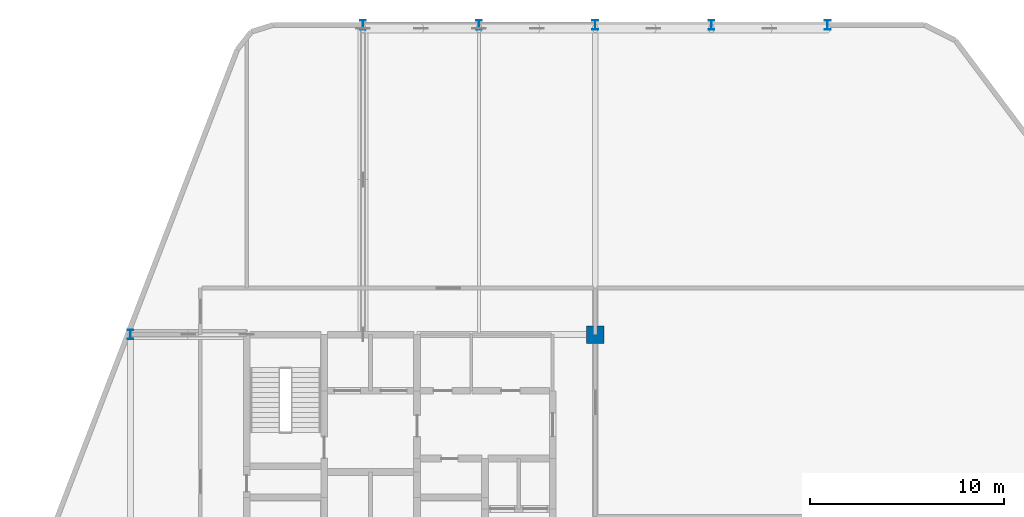
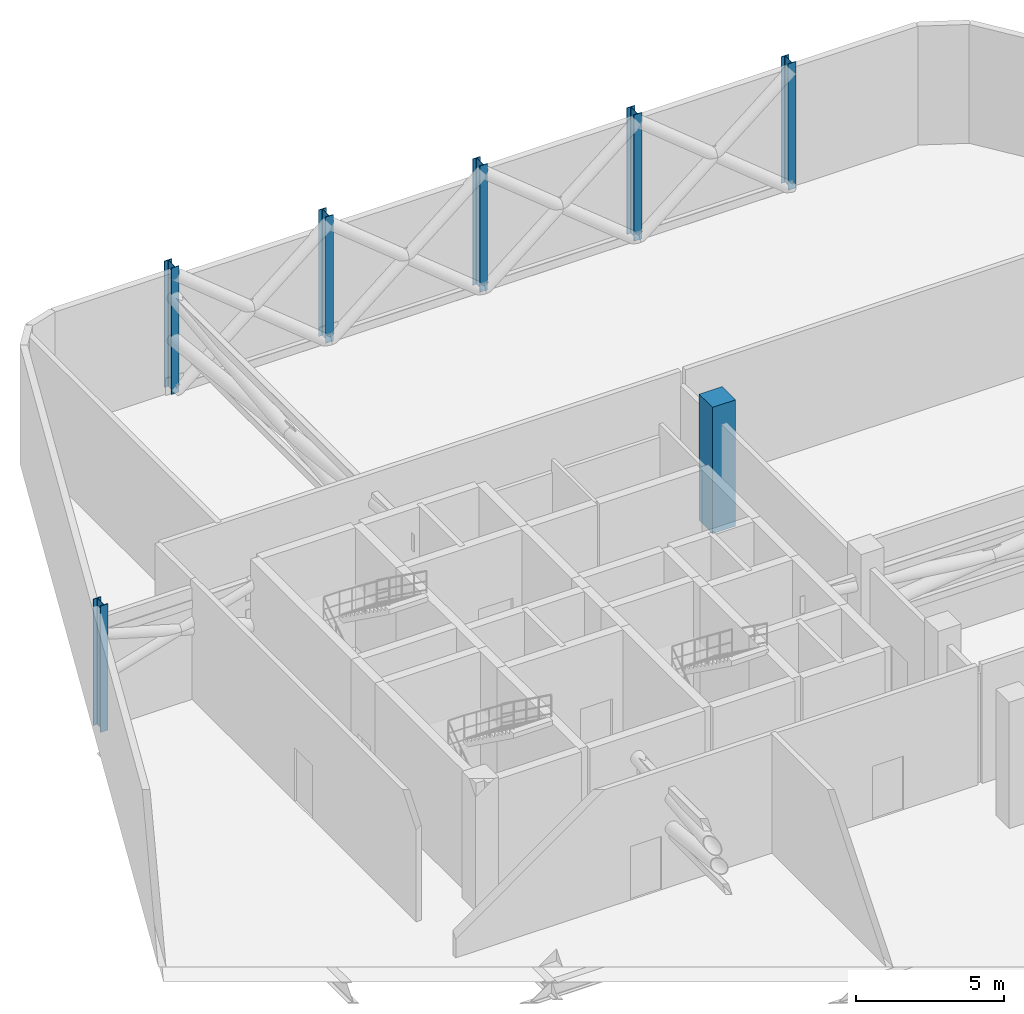
# One storey, part 3 of 12: 7 columns.
"""IFC4 building model written with IfcOpenShell, lengths in metres."""

from ifc_helpers import new_model, si_unit, direction, frame, origin, origin_2d, place, context, subcontext, project, spatial, rectangle, i_section, extrude, material, material_profile, profile_set, type_object, element, save


model = new_model("IFC4")

# Units and contexts
model_context = context("Model", 3, precision=1e-05, world=origin(), true_north=direction((0.0, 1.0)))
body_context = subcontext(model_context, "Body", "Model", "MODEL_VIEW")
ifc_project = project(units=[si_unit("LENGTHUNIT", "METRE"), si_unit("AREAUNIT", "SQUARE_METRE"), si_unit("VOLUMEUNIT", "CUBIC_METRE"), si_unit("PLANEANGLEUNIT", "RADIAN"), si_unit("MASSUNIT", "GRAM", prefix="KILO")], contexts=[model_context])

# Site, building, storey
site_placement = place(None, origin())
site = spatial("IfcSite", under=ifc_project, at=site_placement, CompositionType="ELEMENT")
building_placement = place(site_placement, origin())
building = spatial("IfcBuilding", under=site, at=building_placement, Name="Keshet Zoharim Tower", CompositionType="ELEMENT")
storey_placement = place(building_placement, frame((0.0, 0.0, 159.39990234375)))
storey = spatial("IfcBuildingStorey", under=building, at=storey_placement, Name="L39", CompositionType="ELEMENT", Elevation=159.39990234375)

# Columns
ifc_material_1 = material(Name="Steel S355", Category="steel")
ifc_material_profile_1 = material_profile(ifc_material_1, i_section(OverallWidth=0.300048828125, OverallDepth=0.5, WebThickness=0.014404296875, FlangeThickness=0.028076171875, FilletRadius=0.027099609375, at=origin_2d()), Name="HEB500")
ifc_profile_set_1 = profile_set([ifc_material_profile_1], Name="Steel S355")
column_type_1 = type_object("IfcColumnType", Name="COL-HEB500", PredefinedType="COLUMN", material=ifc_profile_set_1)
for number, where, z_axis, x_axis, name in (
    (1, (9.0, 37.89990234375, 0.0), (0.0, 0.0, 1.0), (1.0, 0.0, 0.0), "L39 Column 2H"),
    (2, (21.0, 53.89990234375, 0.0), (0.0, 0.0, 1.0), (1.0, 0.0, 0.0), "L39 Column 4L"),
    (3, (27.0, 53.89990234375, 0.0), (0.0, 0.0, 1.0), (1.0, 0.0, 0.0), "L39 Column 5L"),
    (4, (33.0, 53.89990234375, 0.0), (0.0, 0.0, 1.0), (1.0, 0.0, 0.0), "L39 Column 6L"),
    (5, (39.0, 53.89990234375, 0.0), (0.0, 0.0, 1.0), (1.0, 0.0, 0.0), "L39 Column 7L"),
    (6, (45.0, 53.89990234375, 0.0), (0.0, 0.0, 1.0), (1.0, 0.0, 0.0), "L39 Column 8L"),
):
    element("IfcColumn", number, at=place(storey_placement, frame(where, z_axis=z_axis, x_axis=x_axis)), inside=storey, type_object=column_type_1, Name=name, PredefinedType="COLUMN", context=body_context, shape_type="SweptSolid", body=[
        extrude(i_section(OverallWidth=0.300048828125, OverallDepth=0.5, WebThickness=0.014404296875, FlangeThickness=0.028076171875, FilletRadius=0.027099609375, at=origin_2d()), origin(), (0.0, 0.0, 1.0), 5.2001953125),
    ])
ifc_material_2 = material(Name="Concrete C60/75", Category="concrete")
ifc_material_profile_2 = material_profile(ifc_material_2, rectangle(XDim=0.89990234375, YDim=0.89990234375, at=origin_2d()), Name="RC900x900")
ifc_profile_set_2 = profile_set([ifc_material_profile_2], Name="Concrete C60/75")
column_type_2 = type_object("IfcColumnType", Name="COL-RC900", PredefinedType="COLUMN", material=ifc_profile_set_2)
column_placement = place(storey_placement, frame((33.0, 37.89990234375, 0.0), z_axis=(0.0, 0.0, 1.0), x_axis=(1.0, 0.0, 0.0)))
element("IfcColumn", 7, at=column_placement, inside=storey, type_object=column_type_2, Name="L39 Column 6H", PredefinedType="COLUMN", context=body_context, shape_type="SweptSolid", body=[
    extrude(rectangle(XDim=0.89990234375, YDim=0.89990234375, at=origin_2d()), origin(), (0.0, 0.0, 1.0), 5.2001953125),
])

save(model, "model.ifc")
